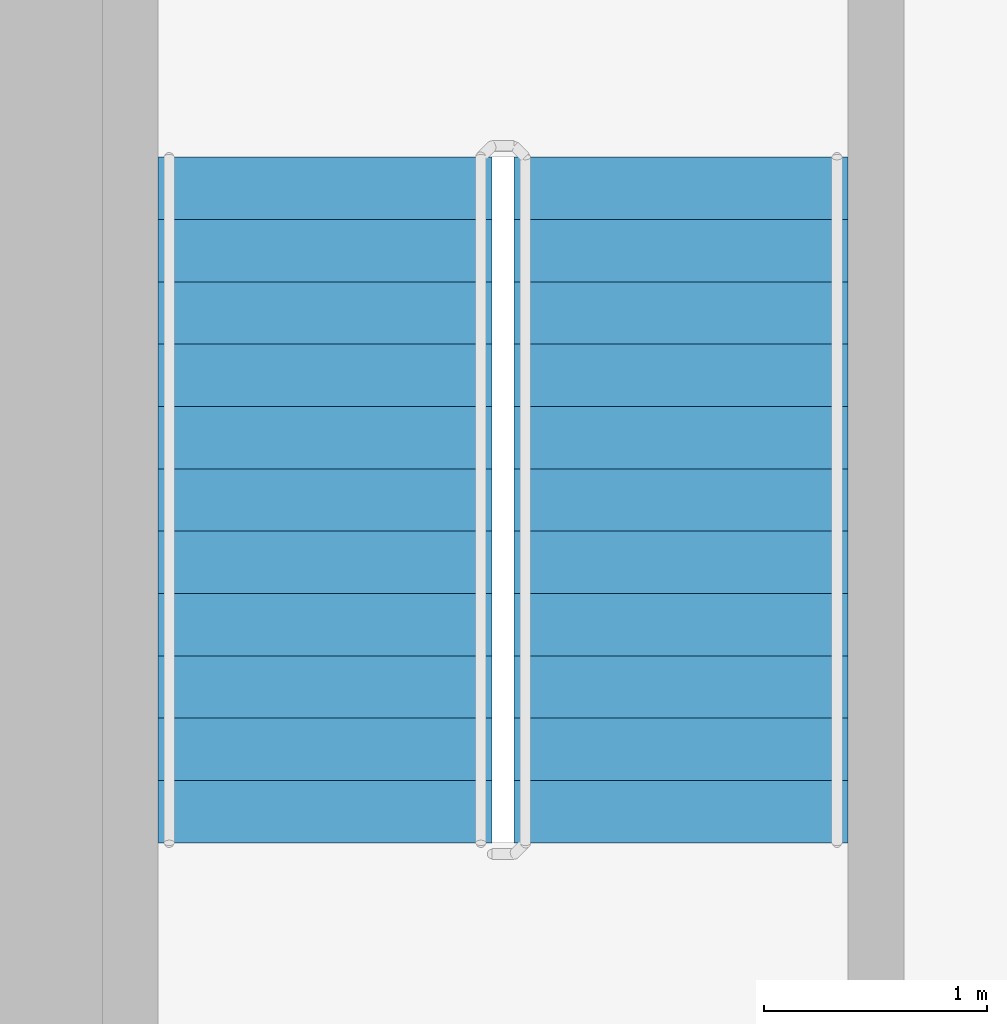
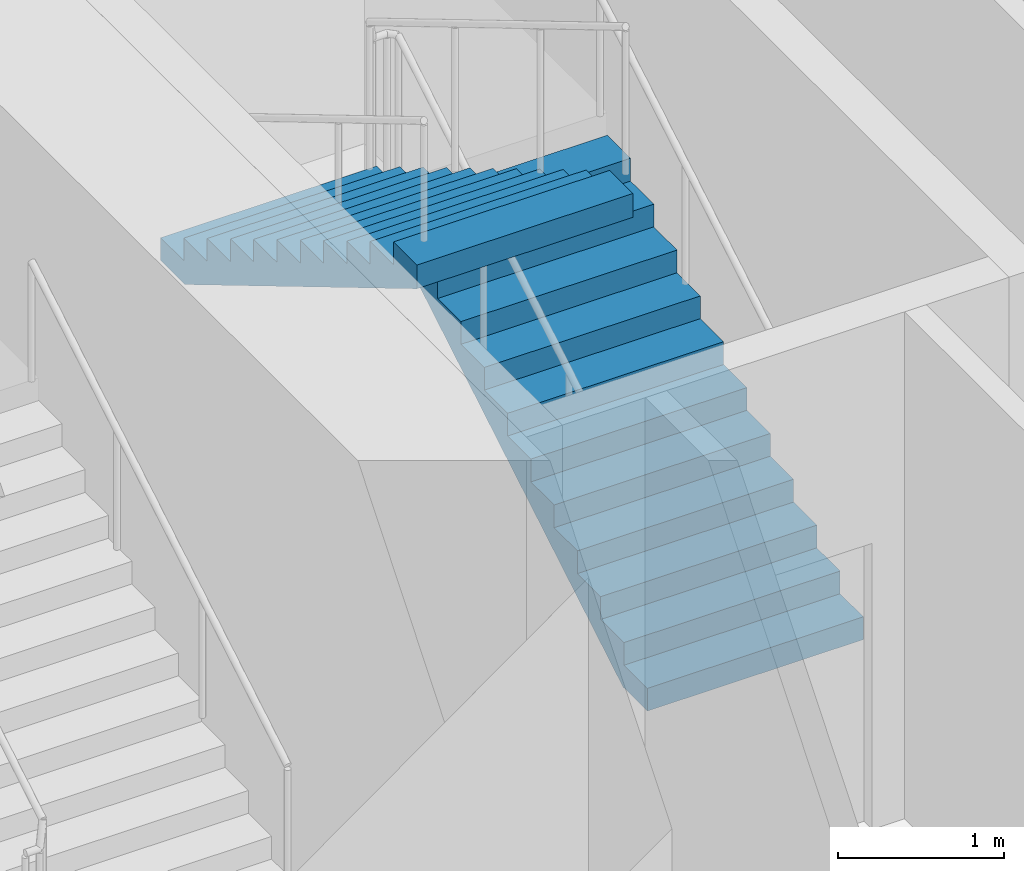
# One storey, part 16 of 25: 2 stair flights, 1 element without a shape of its own.
"""IFC4 building model written with IfcOpenShell, lengths in metres."""

from ifc_helpers import new_model, si_unit, direction, frame, origin, place, context, subcontext, project, spatial, triangles, source, transform, mapped, material, type_object, element, aggregate, save


model = new_model("IFC4")

# Units and contexts
model_context = context("Model", 3, precision=1e-05, world=origin(), true_north=direction((0.0, 1.0)))
body_context = subcontext(model_context, "Body", "Model", "MODEL_VIEW")
ifc_project = project(units=[si_unit("LENGTHUNIT", "METRE"), si_unit("AREAUNIT", "SQUARE_METRE"), si_unit("VOLUMEUNIT", "CUBIC_METRE"), si_unit("PLANEANGLEUNIT", "RADIAN"), si_unit("MASSUNIT", "GRAM", prefix="KILO")], contexts=[model_context])

# Site, building, storey
site_placement = place(None, origin())
site = spatial("IfcSite", under=ifc_project, at=site_placement, CompositionType="ELEMENT")
building_placement = place(site_placement, origin())
building = spatial("IfcBuilding", under=site, at=building_placement, Name="Kilnfold Tower and Market Hall", CompositionType="ELEMENT")
storey_placement = place(building_placement, frame((0.0, 0.0, 39.0)))
storey = spatial("IfcBuildingStorey", under=building, at=storey_placement, Name="L08", CompositionType="ELEMENT", Elevation=39.0)

# Stair, stair flights
ifc_material_1 = material(Name="Concrete C40/50", Category="concrete")
stair_type = type_object("IfcStairType", Name="CORE STAIR 1500", PredefinedType="HALF_TURN_STAIR", material=ifc_material_1)
stair_placement = place(storey_placement, origin())
stair = element("IfcStair", 1, at=stair_placement, inside=storey, type_object=stair_type, Name="L08 ST5", PredefinedType="HALF_TURN_STAIR")
ifc_material_2 = material(Name="Concrete C40/50", Category="concrete")
stair_flight_type = type_object("IfcStairFlightType", Name="CORE STAIR FLIGHT 1500", PredefinedType="STRAIGHT", material=ifc_material_2)
shared_shape = source(origin(), body_context, "Body", "Tessellation", [
    triangles([(0.0, 0.75, 0.0), (0.0, 0.65625, 0.0), (0.0, 0.5625, 0.0), (0.0, 0.46875, 0.0), (0.0, 0.375, 0.0), (0.0, 0.28125, 0.0), (0.0, 0.1875, 0.0), (0.0, 0.09375, 0.0), (0.0, 0.0, 0.0), (0.0, -0.09375, 0.0), (0.0, -0.1875, 0.0), (0.0, -0.28125, 0.0), (0.0, -0.375, 0.0), (0.0, -0.46875, 0.0), (0.0, -0.5625, 0.0), (0.0, -0.65625, 0.0), (0.0, -0.75, 0.0), (0.0, 0.75, 0.166748046875), (0.0, 0.65625, 0.166748046875), (0.0, 0.5625, 0.166748046875), (0.0, 0.46875, 0.166748046875), (0.0, 0.375, 0.166748046875), (0.0, 0.28125, 0.166748046875), (0.0, 0.1875, 0.166748046875), (0.0, 0.09375, 0.166748046875), (0.0, 0.0, 0.166748046875), (0.0, -0.09375, 0.166748046875), (0.0, -0.1875, 0.166748046875), (0.0, -0.28125, 0.166748046875), (0.0, -0.375, 0.166748046875), (0.0, -0.46875, 0.166748046875), (0.0, -0.5625, 0.166748046875), (0.0, -0.65625, 0.166748046875), (0.0, -0.75, 0.166748046875), (0.280029296875, 0.75, 0.166748046875), (0.280029296875, 0.65625, 0.166748046875), (0.280029296875, 0.5625, 0.166748046875), (0.280029296875, 0.46875, 0.166748046875), (0.280029296875, 0.375, 0.166748046875), (0.280029296875, 0.28125, 0.166748046875), (0.280029296875, 0.1875, 0.166748046875), (0.280029296875, 0.09375, 0.166748046875), (0.280029296875, 0.0, 0.166748046875), (0.280029296875, -0.09375, 0.166748046875), (0.280029296875, -0.1875, 0.166748046875), (0.280029296875, -0.28125, 0.166748046875), (0.280029296875, -0.375, 0.166748046875), (0.280029296875, -0.46875, 0.166748046875), (0.280029296875, -0.5625, 0.166748046875), (0.280029296875, -0.65625, 0.166748046875), (0.280029296875, -0.75, 0.166748046875), (0.280029296875, 0.75, 0.333251953125), (0.280029296875, 0.65625, 0.333251953125), (0.280029296875, 0.5625, 0.333251953125), (0.280029296875, 0.46875, 0.333251953125), (0.280029296875, 0.375, 0.333251953125), (0.280029296875, 0.28125, 0.333251953125), (0.280029296875, 0.1875, 0.333251953125), (0.280029296875, 0.09375, 0.333251953125), (0.280029296875, 0.0, 0.333251953125), (0.280029296875, -0.09375, 0.333251953125), (0.280029296875, -0.1875, 0.333251953125), (0.280029296875, -0.28125, 0.333251953125), (0.280029296875, -0.375, 0.333251953125), (0.280029296875, -0.46875, 0.333251953125), (0.280029296875, -0.5625, 0.333251953125), (0.280029296875, -0.65625, 0.333251953125), (0.280029296875, -0.75, 0.333251953125), (0.56005859375, 0.75, 0.333251953125), (0.56005859375, 0.65625, 0.333251953125), (0.56005859375, 0.5625, 0.333251953125), (0.56005859375, 0.46875, 0.333251953125), (0.56005859375, 0.375, 0.333251953125), (0.56005859375, 0.28125, 0.333251953125), (0.56005859375, 0.1875, 0.333251953125), (0.56005859375, 0.09375, 0.333251953125), (0.56005859375, 0.0, 0.333251953125), (0.56005859375, -0.09375, 0.333251953125), (0.56005859375, -0.1875, 0.333251953125), (0.56005859375, -0.28125, 0.333251953125), (0.56005859375, -0.375, 0.333251953125), (0.56005859375, -0.46875, 0.333251953125), (0.56005859375, -0.5625, 0.333251953125), (0.56005859375, -0.65625, 0.333251953125), (0.56005859375, -0.75, 0.333251953125), (0.56005859375, 0.75, 0.5), (0.56005859375, 0.65625, 0.5), (0.56005859375, 0.5625, 0.5), (0.56005859375, 0.46875, 0.5), (0.56005859375, 0.375, 0.5), (0.56005859375, 0.28125, 0.5), (0.56005859375, 0.1875, 0.5), (0.56005859375, 0.09375, 0.5), (0.56005859375, 0.0, 0.5), (0.56005859375, -0.09375, 0.5), (0.56005859375, -0.1875, 0.5), (0.56005859375, -0.28125, 0.5), (0.56005859375, -0.375, 0.5), (0.56005859375, -0.46875, 0.5), (0.56005859375, -0.5625, 0.5), (0.56005859375, -0.65625, 0.5), (0.56005859375, -0.75, 0.5), (0.840087890625, 0.75, 0.5), (0.840087890625, 0.65625, 0.5), (0.840087890625, 0.5625, 0.5), (0.840087890625, 0.46875, 0.5), (0.840087890625, 0.375, 0.5), (0.840087890625, 0.28125, 0.5), (0.840087890625, 0.1875, 0.5), (0.840087890625, 0.09375, 0.5), (0.840087890625, 0.0, 0.5), (0.840087890625, -0.09375, 0.5), (0.840087890625, -0.1875, 0.5), (0.840087890625, -0.28125, 0.5), (0.840087890625, -0.375, 0.5), (0.840087890625, -0.46875, 0.5), (0.840087890625, -0.5625, 0.5), (0.840087890625, -0.65625, 0.5), (0.840087890625, -0.75, 0.5), (0.840087890625, 0.75, 0.666748046875), (0.840087890625, 0.65625, 0.666748046875), (0.840087890625, 0.5625, 0.666748046875), (0.840087890625, 0.46875, 0.666748046875), (0.840087890625, 0.375, 0.666748046875), (0.840087890625, 0.28125, 0.666748046875), (0.840087890625, 0.1875, 0.666748046875), (0.840087890625, 0.09375, 0.666748046875), (0.840087890625, 0.0, 0.666748046875), (0.840087890625, -0.09375, 0.666748046875), (0.840087890625, -0.1875, 0.666748046875), (0.840087890625, -0.28125, 0.666748046875), (0.840087890625, -0.375, 0.666748046875), (0.840087890625, -0.46875, 0.666748046875), (0.840087890625, -0.5625, 0.666748046875), (0.840087890625, -0.65625, 0.666748046875), (0.840087890625, -0.75, 0.666748046875), (1.1201171875, 0.75, 0.666748046875), (1.1201171875, 0.65625, 0.666748046875), (1.1201171875, 0.5625, 0.666748046875), (1.1201171875, 0.46875, 0.666748046875), (1.1201171875, 0.375, 0.666748046875), (1.1201171875, 0.28125, 0.666748046875), (1.1201171875, 0.1875, 0.666748046875), (1.1201171875, 0.09375, 0.666748046875), (1.1201171875, 0.0, 0.666748046875), (1.1201171875, -0.09375, 0.666748046875), (1.1201171875, -0.1875, 0.666748046875), (1.1201171875, -0.28125, 0.666748046875), (1.1201171875, -0.375, 0.666748046875), (1.1201171875, -0.46875, 0.666748046875), (1.1201171875, -0.5625, 0.666748046875), (1.1201171875, -0.65625, 0.666748046875), (1.1201171875, -0.75, 0.666748046875), (1.1201171875, 0.75, 0.833251953125), (1.1201171875, 0.65625, 0.833251953125), (1.1201171875, 0.5625, 0.833251953125), (1.1201171875, 0.46875, 0.833251953125), (1.1201171875, 0.375, 0.833251953125), (1.1201171875, 0.28125, 0.833251953125), (1.1201171875, 0.1875, 0.833251953125), (1.1201171875, 0.09375, 0.833251953125), (1.1201171875, 0.0, 0.833251953125), (1.1201171875, -0.09375, 0.833251953125), (1.1201171875, -0.1875, 0.833251953125), (1.1201171875, -0.28125, 0.833251953125), (1.1201171875, -0.375, 0.833251953125), (1.1201171875, -0.46875, 0.833251953125), (1.1201171875, -0.5625, 0.833251953125), (1.1201171875, -0.65625, 0.833251953125), (1.1201171875, -0.75, 0.833251953125), (1.39990234375, 0.75, 0.833251953125), (1.39990234375, 0.65625, 0.833251953125), (1.39990234375, 0.5625, 0.833251953125), (1.39990234375, 0.46875, 0.833251953125), (1.39990234375, 0.375, 0.833251953125), (1.39990234375, 0.28125, 0.833251953125), (1.39990234375, 0.1875, 0.833251953125), (1.39990234375, 0.09375, 0.833251953125), (1.39990234375, 0.0, 0.833251953125), (1.39990234375, -0.09375, 0.833251953125), (1.39990234375, -0.1875, 0.833251953125), (1.39990234375, -0.28125, 0.833251953125), (1.39990234375, -0.375, 0.833251953125), (1.39990234375, -0.46875, 0.833251953125), (1.39990234375, -0.5625, 0.833251953125), (1.39990234375, -0.65625, 0.833251953125), (1.39990234375, -0.75, 0.833251953125), (1.39990234375, 0.75, 1.0), (1.39990234375, 0.65625, 1.0), (1.39990234375, 0.5625, 1.0), (1.39990234375, 0.46875, 1.0), (1.39990234375, 0.375, 1.0), (1.39990234375, 0.28125, 1.0), (1.39990234375, 0.1875, 1.0), (1.39990234375, 0.09375, 1.0), (1.39990234375, 0.0, 1.0), (1.39990234375, -0.09375, 1.0), (1.39990234375, -0.1875, 1.0), (1.39990234375, -0.28125, 1.0), (1.39990234375, -0.375, 1.0), (1.39990234375, -0.46875, 1.0), (1.39990234375, -0.5625, 1.0), (1.39990234375, -0.65625, 1.0), (1.39990234375, -0.75, 1.0), (1.679931640625, 0.75, 1.0), (1.679931640625, 0.65625, 1.0), (1.679931640625, 0.5625, 1.0), (1.679931640625, 0.46875, 1.0), (1.679931640625, 0.375, 1.0), (1.679931640625, 0.28125, 1.0), (1.679931640625, 0.1875, 1.0), (1.679931640625, 0.09375, 1.0), (1.679931640625, 0.0, 1.0), (1.679931640625, -0.09375, 1.0), (1.679931640625, -0.1875, 1.0), (1.679931640625, -0.28125, 1.0), (1.679931640625, -0.375, 1.0), (1.679931640625, -0.46875, 1.0), (1.679931640625, -0.5625, 1.0), (1.679931640625, -0.65625, 1.0), (1.679931640625, -0.75, 1.0), (1.679931640625, 0.75, 1.166748046875), (1.679931640625, 0.65625, 1.166748046875), (1.679931640625, 0.5625, 1.166748046875), (1.679931640625, 0.46875, 1.166748046875), (1.679931640625, 0.375, 1.166748046875), (1.679931640625, 0.28125, 1.166748046875), (1.679931640625, 0.1875, 1.166748046875), (1.679931640625, 0.09375, 1.166748046875), (1.679931640625, 0.0, 1.166748046875), (1.679931640625, -0.09375, 1.166748046875), (1.679931640625, -0.1875, 1.166748046875), (1.679931640625, -0.28125, 1.166748046875), (1.679931640625, -0.375, 1.166748046875), (1.679931640625, -0.46875, 1.166748046875), (1.679931640625, -0.5625, 1.166748046875), (1.679931640625, -0.65625, 1.166748046875), (1.679931640625, -0.75, 1.166748046875), (1.9599609375, 0.75, 1.166748046875), (1.9599609375, 0.65625, 1.166748046875), (1.9599609375, 0.5625, 1.166748046875), (1.9599609375, 0.46875, 1.166748046875), (1.9599609375, 0.375, 1.166748046875), (1.9599609375, 0.28125, 1.166748046875), (1.9599609375, 0.1875, 1.166748046875), (1.9599609375, 0.09375, 1.166748046875), (1.9599609375, 0.0, 1.166748046875), (1.9599609375, -0.09375, 1.166748046875), (1.9599609375, -0.1875, 1.166748046875), (1.9599609375, -0.28125, 1.166748046875), (1.9599609375, -0.375, 1.166748046875), (1.9599609375, -0.46875, 1.166748046875), (1.9599609375, -0.5625, 1.166748046875), (1.9599609375, -0.65625, 1.166748046875), (1.9599609375, -0.75, 1.166748046875), (1.9599609375, 0.75, 1.333251953125), (1.9599609375, 0.65625, 1.333251953125), (1.9599609375, 0.5625, 1.333251953125), (1.9599609375, 0.46875, 1.333251953125), (1.9599609375, 0.375, 1.333251953125), (1.9599609375, 0.28125, 1.333251953125), (1.9599609375, 0.1875, 1.333251953125), (1.9599609375, 0.09375, 1.333251953125), (1.9599609375, 0.0, 1.333251953125), (1.9599609375, -0.09375, 1.333251953125), (1.9599609375, -0.1875, 1.333251953125), (1.9599609375, -0.28125, 1.333251953125), (1.9599609375, -0.375, 1.333251953125), (1.9599609375, -0.46875, 1.333251953125), (1.9599609375, -0.5625, 1.333251953125), (1.9599609375, -0.65625, 1.333251953125), (1.9599609375, -0.75, 1.333251953125), (2.239990234375, 0.75, 1.333251953125), (2.239990234375, 0.65625, 1.333251953125), (2.239990234375, 0.5625, 1.333251953125), (2.239990234375, 0.46875, 1.333251953125), (2.239990234375, 0.375, 1.333251953125), (2.239990234375, 0.28125, 1.333251953125), (2.239990234375, 0.1875, 1.333251953125), (2.239990234375, 0.09375, 1.333251953125), (2.239990234375, 0.0, 1.333251953125), (2.239990234375, -0.09375, 1.333251953125), (2.239990234375, -0.1875, 1.333251953125), (2.239990234375, -0.28125, 1.333251953125), (2.239990234375, -0.375, 1.333251953125), (2.239990234375, -0.46875, 1.333251953125), (2.239990234375, -0.5625, 1.333251953125), (2.239990234375, -0.65625, 1.333251953125), (2.239990234375, -0.75, 1.333251953125), (2.239990234375, 0.75, 1.5), (2.239990234375, 0.65625, 1.5), (2.239990234375, 0.5625, 1.5), (2.239990234375, 0.46875, 1.5), (2.239990234375, 0.375, 1.5), (2.239990234375, 0.28125, 1.5), (2.239990234375, 0.1875, 1.5), (2.239990234375, 0.09375, 1.5), (2.239990234375, 0.0, 1.5), (2.239990234375, -0.09375, 1.5), (2.239990234375, -0.1875, 1.5), (2.239990234375, -0.28125, 1.5), (2.239990234375, -0.375, 1.5), (2.239990234375, -0.46875, 1.5), (2.239990234375, -0.5625, 1.5), (2.239990234375, -0.65625, 1.5), (2.239990234375, -0.75, 1.5), (2.52001953125, 0.75, 1.5), (2.52001953125, 0.65625, 1.5), (2.52001953125, 0.5625, 1.5), (2.52001953125, 0.46875, 1.5), (2.52001953125, 0.375, 1.5), (2.52001953125, 0.28125, 1.5), (2.52001953125, 0.1875, 1.5), (2.52001953125, 0.09375, 1.5), (2.52001953125, 0.0, 1.5), (2.52001953125, -0.09375, 1.5), (2.52001953125, -0.1875, 1.5), (2.52001953125, -0.28125, 1.5), (2.52001953125, -0.375, 1.5), (2.52001953125, -0.46875, 1.5), (2.52001953125, -0.5625, 1.5), (2.52001953125, -0.65625, 1.5), (2.52001953125, -0.75, 1.5), (2.52001953125, 0.75, 1.666748046875), (2.52001953125, 0.65625, 1.666748046875), (2.52001953125, 0.5625, 1.666748046875), (2.52001953125, 0.46875, 1.666748046875), (2.52001953125, 0.375, 1.666748046875), (2.52001953125, 0.28125, 1.666748046875), (2.52001953125, 0.1875, 1.666748046875), (2.52001953125, 0.09375, 1.666748046875), (2.52001953125, 0.0, 1.666748046875), (2.52001953125, -0.09375, 1.666748046875), (2.52001953125, -0.1875, 1.666748046875), (2.52001953125, -0.28125, 1.666748046875), (2.52001953125, -0.375, 1.666748046875), (2.52001953125, -0.46875, 1.666748046875), (2.52001953125, -0.5625, 1.666748046875), (2.52001953125, -0.65625, 1.666748046875), (2.52001953125, -0.75, 1.666748046875), (2.800048828125, 0.75, 1.666748046875), (2.800048828125, 0.65625, 1.666748046875), (2.800048828125, 0.5625, 1.666748046875), (2.800048828125, 0.46875, 1.666748046875), (2.800048828125, 0.375, 1.666748046875), (2.800048828125, 0.28125, 1.666748046875), (2.800048828125, 0.1875, 1.666748046875), (2.800048828125, 0.09375, 1.666748046875), (2.800048828125, 0.0, 1.666748046875), (2.800048828125, -0.09375, 1.666748046875), (2.800048828125, -0.1875, 1.666748046875), (2.800048828125, -0.28125, 1.666748046875), (2.800048828125, -0.375, 1.666748046875), (2.800048828125, -0.46875, 1.666748046875), (2.800048828125, -0.5625, 1.666748046875), (2.800048828125, -0.65625, 1.666748046875), (2.800048828125, -0.75, 1.666748046875), (2.800048828125, 0.75, 1.833251953125), (2.800048828125, 0.65625, 1.833251953125), (2.800048828125, 0.5625, 1.833251953125), (2.800048828125, 0.46875, 1.833251953125), (2.800048828125, 0.375, 1.833251953125), (2.800048828125, 0.28125, 1.833251953125), (2.800048828125, 0.1875, 1.833251953125), (2.800048828125, 0.09375, 1.833251953125), (2.800048828125, 0.0, 1.833251953125), (2.800048828125, -0.09375, 1.833251953125), (2.800048828125, -0.1875, 1.833251953125), (2.800048828125, -0.28125, 1.833251953125), (2.800048828125, -0.375, 1.833251953125), (2.800048828125, -0.46875, 1.833251953125), (2.800048828125, -0.5625, 1.833251953125), (2.800048828125, -0.65625, 1.833251953125), (2.800048828125, -0.75, 1.833251953125), (3.080078125, 0.75, 1.833251953125), (3.080078125, 0.65625, 1.833251953125), (3.080078125, 0.5625, 1.833251953125), (3.080078125, 0.46875, 1.833251953125), (3.080078125, 0.375, 1.833251953125), (3.080078125, 0.28125, 1.833251953125), (3.080078125, 0.1875, 1.833251953125), (3.080078125, 0.09375, 1.833251953125), (3.080078125, 0.0, 1.833251953125), (3.080078125, -0.09375, 1.833251953125), (3.080078125, -0.1875, 1.833251953125), (3.080078125, -0.28125, 1.833251953125), (3.080078125, -0.375, 1.833251953125), (3.080078125, -0.46875, 1.833251953125), (3.080078125, -0.5625, 1.833251953125), (3.080078125, -0.65625, 1.833251953125), (3.080078125, -0.75, 1.833251953125), (3.080078125, 0.75, 1.658935546875), (3.080078125, 0.65625, 1.658935546875), (3.080078125, 0.5625, 1.658935546875), (3.080078125, 0.46875, 1.658935546875), (3.080078125, 0.375, 1.658935546875), (3.080078125, 0.28125, 1.658935546875), (3.080078125, 0.1875, 1.658935546875), (3.080078125, 0.09375, 1.658935546875), (3.080078125, 0.0, 1.658935546875), (3.080078125, -0.09375, 1.658935546875), (3.080078125, -0.1875, 1.658935546875), (3.080078125, -0.28125, 1.658935546875), (3.080078125, -0.375, 1.658935546875), (3.080078125, -0.46875, 1.658935546875), (3.080078125, -0.5625, 1.658935546875), (3.080078125, -0.65625, 1.658935546875), (3.080078125, -0.75, 1.658935546875), (0.29296875, 0.75, 0.0), (0.29296875, 0.65625, 0.0), (0.29296875, 0.5625, 0.0), (0.29296875, 0.46875, 0.0), (0.29296875, 0.375, 0.0), (0.29296875, 0.28125, 0.0), (0.29296875, 0.1875, 0.0), (0.29296875, 0.09375, 0.0), (0.29296875, 0.0, 0.0), (0.29296875, -0.09375, 0.0), (0.29296875, -0.1875, 0.0), (0.29296875, -0.28125, 0.0), (0.29296875, -0.375, 0.0), (0.29296875, -0.46875, 0.0), (0.29296875, -0.5625, 0.0), (0.29296875, -0.65625, 0.0), (0.29296875, -0.75, 0.0)], [[1, 392, 409], [17, 425, 408], [392, 358, 375], [408, 391, 374], [392, 341, 358], [408, 374, 357], [392, 324, 341], [408, 357, 340], [392, 307, 324], [408, 340, 323], [307, 273, 290], [323, 306, 289], [392, 273, 307], [408, 323, 289], [273, 239, 256], [289, 272, 255], [392, 239, 273], [408, 289, 255], [239, 205, 222], [255, 238, 221], [392, 205, 239], [408, 255, 221], [205, 171, 188], [221, 204, 187], [392, 171, 205], [408, 221, 187], [171, 137, 154], [187, 170, 153], [392, 137, 171], [408, 187, 153], [137, 103, 120], [153, 136, 119], [392, 103, 137], [408, 153, 119], [103, 69, 86], [119, 102, 85], [392, 69, 103], [408, 119, 85], [1, 69, 392], [17, 408, 85], [69, 35, 52], [85, 68, 51], [1, 35, 69], [17, 85, 51], [35, 1, 18], [51, 34, 17], [1, 19, 18], [1, 2, 19], [2, 20, 19], [2, 3, 20], [3, 21, 20], [3, 4, 21], [4, 22, 21], [4, 5, 22], [5, 23, 22], [5, 6, 23], [6, 24, 23], [6, 7, 24], [7, 25, 24], [7, 8, 25], [8, 26, 25], [8, 9, 26], [9, 27, 26], [9, 10, 27], [10, 28, 27], [10, 11, 28], [11, 29, 28], [11, 12, 29], [12, 30, 29], [12, 13, 30], [13, 31, 30], [13, 14, 31], [14, 32, 31], [14, 15, 32], [15, 33, 32], [15, 16, 33], [16, 34, 33], [16, 17, 34], [18, 36, 35], [18, 19, 36], [19, 37, 36], [19, 20, 37], [20, 38, 37], [20, 21, 38], [21, 39, 38], [21, 22, 39], [22, 40, 39], [22, 23, 40], [23, 41, 40], [23, 24, 41], [24, 42, 41], [24, 25, 42], [25, 43, 42], [25, 26, 43], [26, 44, 43], [26, 27, 44], [27, 45, 44], [27, 28, 45], [28, 46, 45], [28, 29, 46], [29, 47, 46], [29, 30, 47], [30, 48, 47], [30, 31, 48], [31, 49, 48], [31, 32, 49], [32, 50, 49], [32, 33, 50], [33, 51, 50], [33, 34, 51], [35, 53, 52], [35, 36, 53], [36, 54, 53], [36, 37, 54], [37, 55, 54], [37, 38, 55], [38, 56, 55], [38, 39, 56], [39, 57, 56], [39, 40, 57], [40, 58, 57], [40, 41, 58], [41, 59, 58], [41, 42, 59], [42, 60, 59], [42, 43, 60], [43, 61, 60], [43, 44, 61], [44, 62, 61], [44, 45, 62], [45, 63, 62], [45, 46, 63], [46, 64, 63], [46, 47, 64], [47, 65, 64], [47, 48, 65], [48, 66, 65], [48, 49, 66], [49, 67, 66], [49, 50, 67], [50, 68, 67], [50, 51, 68], [52, 70, 69], [52, 53, 70], [53, 71, 70], [53, 54, 71], [54, 72, 71], [54, 55, 72], [55, 73, 72], [55, 56, 73], [56, 74, 73], [56, 57, 74], [57, 75, 74], [57, 58, 75], [58, 76, 75], [58, 59, 76], [59, 77, 76], [59, 60, 77], [60, 78, 77], [60, 61, 78], [61, 79, 78], [61, 62, 79], [62, 80, 79], [62, 63, 80], [63, 81, 80], [63, 64, 81], [64, 82, 81], [64, 65, 82], [65, 83, 82], [65, 66, 83], [66, 84, 83], [66, 67, 84], [67, 85, 84], [67, 68, 85], [69, 87, 86], [69, 70, 87], [70, 88, 87], [70, 71, 88], [71, 89, 88], [71, 72, 89], [72, 90, 89], [72, 73, 90], [73, 91, 90], [73, 74, 91], [74, 92, 91], [74, 75, 92], [75, 93, 92], [75, 76, 93], [76, 94, 93], [76, 77, 94], [77, 95, 94], [77, 78, 95], [78, 96, 95], [78, 79, 96], [79, 97, 96], [79, 80, 97], [80, 98, 97], [80, 81, 98], [81, 99, 98], [81, 82, 99], [82, 100, 99], [82, 83, 100], [83, 101, 100], [83, 84, 101], [84, 102, 101], [84, 85, 102], [86, 104, 103], [86, 87, 104], [87, 105, 104], [87, 88, 105], [88, 106, 105], [88, 89, 106], [89, 107, 106], [89, 90, 107], [90, 108, 107], [90, 91, 108], [91, 109, 108], [91, 92, 109], [92, 110, 109], [92, 93, 110], [93, 111, 110], [93, 94, 111], [94, 112, 111], [94, 95, 112], [95, 113, 112], [95, 96, 113], [96, 114, 113], [96, 97, 114], [97, 115, 114], [97, 98, 115], [98, 116, 115], [98, 99, 116], [99, 117, 116], [99, 100, 117], [100, 118, 117], [100, 101, 118], [101, 119, 118], [101, 102, 119], [103, 121, 120], [103, 104, 121], [104, 122, 121], [104, 105, 122], [105, 123, 122], [105, 106, 123], [106, 124, 123], [106, 107, 124], [107, 125, 124], [107, 108, 125], [108, 126, 125], [108, 109, 126], [109, 127, 126], [109, 110, 127], [110, 128, 127], [110, 111, 128], [111, 129, 128], [111, 112, 129], [112, 130, 129], [112, 113, 130], [113, 131, 130], [113, 114, 131], [114, 132, 131], [114, 115, 132], [115, 133, 132], [115, 116, 133], [116, 134, 133], [116, 117, 134], [117, 135, 134], [117, 118, 135], [118, 136, 135], [118, 119, 136], [120, 138, 137], [120, 121, 138], [121, 139, 138], [121, 122, 139], [122, 140, 139], [122, 123, 140], [123, 141, 140], [123, 124, 141], [124, 142, 141], [124, 125, 142], [125, 143, 142], [125, 126, 143], [126, 144, 143], [126, 127, 144], [127, 145, 144], [127, 128, 145], [128, 146, 145], [128, 129, 146], [129, 147, 146], [129, 130, 147], [130, 148, 147], [130, 131, 148], [131, 149, 148], [131, 132, 149], [132, 150, 149], [132, 133, 150], [133, 151, 150], [133, 134, 151], [134, 152, 151], [134, 135, 152], [135, 153, 152], [135, 136, 153], [137, 155, 154], [137, 138, 155], [138, 156, 155], [138, 139, 156], [139, 157, 156], [139, 140, 157], [140, 158, 157], [140, 141, 158], [141, 159, 158], [141, 142, 159], [142, 160, 159], [142, 143, 160], [143, 161, 160], [143, 144, 161], [144, 162, 161], [144, 145, 162], [145, 163, 162], [145, 146, 163], [146, 164, 163], [146, 147, 164], [147, 165, 164], [147, 148, 165], [148, 166, 165], [148, 149, 166], [149, 167, 166], [149, 150, 167], [150, 168, 167], [150, 151, 168], [151, 169, 168], [151, 152, 169], [152, 170, 169], [152, 153, 170], [154, 172, 171], [154, 155, 172], [155, 173, 172], [155, 156, 173], [156, 174, 173], [156, 157, 174], [157, 175, 174], [157, 158, 175], [158, 176, 175], [158, 159, 176], [159, 177, 176], [159, 160, 177], [160, 178, 177], [160, 161, 178], [161, 179, 178], [161, 162, 179], [162, 180, 179], [162, 163, 180], [163, 181, 180], [163, 164, 181], [164, 182, 181], [164, 165, 182], [165, 183, 182], [165, 166, 183], [166, 184, 183], [166, 167, 184], [167, 185, 184], [167, 168, 185], [168, 186, 185], [168, 169, 186], [169, 187, 186], [169, 170, 187], [171, 189, 188], [171, 172, 189], [172, 190, 189], [172, 173, 190], [173, 191, 190], [173, 174, 191], [174, 192, 191], [174, 175, 192], [175, 193, 192], [175, 176, 193], [176, 194, 193], [176, 177, 194], [177, 195, 194], [177, 178, 195], [178, 196, 195], [178, 179, 196], [179, 197, 196], [179, 180, 197], [180, 198, 197], [180, 181, 198], [181, 199, 198], [181, 182, 199], [182, 200, 199], [182, 183, 200], [183, 201, 200], [183, 184, 201], [184, 202, 201], [184, 185, 202], [185, 203, 202], [185, 186, 203], [186, 204, 203], [186, 187, 204], [188, 206, 205], [188, 189, 206], [189, 207, 206], [189, 190, 207], [190, 208, 207], [190, 191, 208], [191, 209, 208], [191, 192, 209], [192, 210, 209], [192, 193, 210], [193, 211, 210], [193, 194, 211], [194, 212, 211], [194, 195, 212], [195, 213, 212], [195, 196, 213], [196, 214, 213], [196, 197, 214], [197, 215, 214], [197, 198, 215], [198, 216, 215], [198, 199, 216], [199, 217, 216], [199, 200, 217], [200, 218, 217], [200, 201, 218], [201, 219, 218], [201, 202, 219], [202, 220, 219], [202, 203, 220], [203, 221, 220], [203, 204, 221], [205, 223, 222], [205, 206, 223], [206, 224, 223], [206, 207, 224], [207, 225, 224], [207, 208, 225], [208, 226, 225], [208, 209, 226], [209, 227, 226], [209, 210, 227], [210, 228, 227], [210, 211, 228], [211, 229, 228], [211, 212, 229], [212, 230, 229], [212, 213, 230], [213, 231, 230], [213, 214, 231], [214, 232, 231], [214, 215, 232], [215, 233, 232], [215, 216, 233], [216, 234, 233], [216, 217, 234], [217, 235, 234], [217, 218, 235], [218, 236, 235], [218, 219, 236], [219, 237, 236], [219, 220, 237], [220, 238, 237], [220, 221, 238], [222, 240, 239], [222, 223, 240], [223, 241, 240], [223, 224, 241], [224, 242, 241], [224, 225, 242], [225, 243, 242], [225, 226, 243], [226, 244, 243], [226, 227, 244], [227, 245, 244], [227, 228, 245], [228, 246, 245], [228, 229, 246], [229, 247, 246], [229, 230, 247], [230, 248, 247], [230, 231, 248], [231, 249, 248], [231, 232, 249], [232, 250, 249], [232, 233, 250], [233, 251, 250], [233, 234, 251], [234, 252, 251], [234, 235, 252], [235, 253, 252], [235, 236, 253], [236, 254, 253], [236, 237, 254], [237, 255, 254], [237, 238, 255], [239, 257, 256], [239, 240, 257], [240, 258, 257], [240, 241, 258], [241, 259, 258], [241, 242, 259], [242, 260, 259], [242, 243, 260], [243, 261, 260], [243, 244, 261], [244, 262, 261], [244, 245, 262], [245, 263, 262], [245, 246, 263], [246, 264, 263], [246, 247, 264], [247, 265, 264], [247, 248, 265], [248, 266, 265], [248, 249, 266], [249, 267, 266], [249, 250, 267], [250, 268, 267], [250, 251, 268], [251, 269, 268], [251, 252, 269], [252, 270, 269], [252, 253, 270], [253, 271, 270], [253, 254, 271], [254, 272, 271], [254, 255, 272], [256, 274, 273], [256, 257, 274], [257, 275, 274], [257, 258, 275], [258, 276, 275], [258, 259, 276], [259, 277, 276], [259, 260, 277], [260, 278, 277], [260, 261, 278], [261, 279, 278], [261, 262, 279], [262, 280, 279], [262, 263, 280], [263, 281, 280], [263, 264, 281], [264, 282, 281], [264, 265, 282], [265, 283, 282], [265, 266, 283], [266, 284, 283], [266, 267, 284], [267, 285, 284], [267, 268, 285], [268, 286, 285], [268, 269, 286], [269, 287, 286], [269, 270, 287], [270, 288, 287], [270, 271, 288], [271, 289, 288], [271, 272, 289], [273, 291, 290], [273, 274, 291], [274, 292, 291], [274, 275, 292], [275, 293, 292], [275, 276, 293], [276, 294, 293], [276, 277, 294], [277, 295, 294], [277, 278, 295], [278, 296, 295], [278, 279, 296], [279, 297, 296], [279, 280, 297], [280, 298, 297], [280, 281, 298], [281, 299, 298], [281, 282, 299], [282, 300, 299], [282, 283, 300], [283, 301, 300], [283, 284, 301], [284, 302, 301], [284, 285, 302], [285, 303, 302], [285, 286, 303], [286, 304, 303], [286, 287, 304], [287, 305, 304], [287, 288, 305], [288, 306, 305], [288, 289, 306], [290, 308, 307], [290, 291, 308], [291, 309, 308], [291, 292, 309], [292, 310, 309], [292, 293, 310], [293, 311, 310], [293, 294, 311], [294, 312, 311], [294, 295, 312], [295, 313, 312], [295, 296, 313], [296, 314, 313], [296, 297, 314], [297, 315, 314], [297, 298, 315], [298, 316, 315], [298, 299, 316], [299, 317, 316], [299, 300, 317], [300, 318, 317], [300, 301, 318], [301, 319, 318], [301, 302, 319], [302, 320, 319], [302, 303, 320], [303, 321, 320], [303, 304, 321], [304, 322, 321], [304, 305, 322], [305, 323, 322], [305, 306, 323], [307, 325, 324], [307, 308, 325], [308, 326, 325], [308, 309, 326], [309, 327, 326], [309, 310, 327], [310, 328, 327], [310, 311, 328], [311, 329, 328], [311, 312, 329], [312, 330, 329], [312, 313, 330], [313, 331, 330], [313, 314, 331], [314, 332, 331], [314, 315, 332], [315, 333, 332], [315, 316, 333], [316, 334, 333], [316, 317, 334], [317, 335, 334], [317, 318, 335], [318, 336, 335], [318, 319, 336], [319, 337, 336], [319, 320, 337], [320, 338, 337], [320, 321, 338], [321, 339, 338], [321, 322, 339], [322, 340, 339], [322, 323, 340], [324, 342, 341], [324, 325, 342], [325, 343, 342], [325, 326, 343], [326, 344, 343], [326, 327, 344], [327, 345, 344], [327, 328, 345], [328, 346, 345], [328, 329, 346], [329, 347, 346], [329, 330, 347], [330, 348, 347], [330, 331, 348], [331, 349, 348], [331, 332, 349], [332, 350, 349], [332, 333, 350], [333, 351, 350], [333, 334, 351], [334, 352, 351], [334, 335, 352], [335, 353, 352], [335, 336, 353], [336, 354, 353], [336, 337, 354], [337, 355, 354], [337, 338, 355], [338, 356, 355], [338, 339, 356], [339, 357, 356], [339, 340, 357], [341, 359, 358], [341, 342, 359], [342, 360, 359], [342, 343, 360], [343, 361, 360], [343, 344, 361], [344, 362, 361], [344, 345, 362], [345, 363, 362], [345, 346, 363], [346, 364, 363], [346, 347, 364], [347, 365, 364], [347, 348, 365], [348, 366, 365], [348, 349, 366], [349, 367, 366], [349, 350, 367], [350, 368, 367], [350, 351, 368], [351, 369, 368], [351, 352, 369], [352, 370, 369], [352, 353, 370], [353, 371, 370], [353, 354, 371], [354, 372, 371], [354, 355, 372], [355, 373, 372], [355, 356, 373], [356, 374, 373], [356, 357, 374], [358, 376, 375], [358, 359, 376], [359, 377, 376], [359, 360, 377], [360, 378, 377], [360, 361, 378], [361, 379, 378], [361, 362, 379], [362, 380, 379], [362, 363, 380], [363, 381, 380], [363, 364, 381], [364, 382, 381], [364, 365, 382], [365, 383, 382], [365, 366, 383], [366, 384, 383], [366, 367, 384], [367, 385, 384], [367, 368, 385], [368, 386, 385], [368, 369, 386], [369, 387, 386], [369, 370, 387], [370, 388, 387], [370, 371, 388], [371, 389, 388], [371, 372, 389], [372, 390, 389], [372, 373, 390], [373, 391, 390], [373, 374, 391], [375, 393, 392], [375, 376, 393], [376, 394, 393], [376, 377, 394], [377, 395, 394], [377, 378, 395], [378, 396, 395], [378, 379, 396], [379, 397, 396], [379, 380, 397], [380, 398, 397], [380, 381, 398], [381, 399, 398], [381, 382, 399], [382, 400, 399], [382, 383, 400], [383, 401, 400], [383, 384, 401], [384, 402, 401], [384, 385, 402], [385, 403, 402], [385, 386, 403], [386, 404, 403], [386, 387, 404], [387, 405, 404], [387, 388, 405], [388, 406, 405], [388, 389, 406], [389, 407, 406], [389, 390, 407], [390, 408, 407], [390, 391, 408], [392, 410, 409], [392, 393, 410], [393, 411, 410], [393, 394, 411], [394, 412, 411], [394, 395, 412], [395, 413, 412], [395, 396, 413], [396, 414, 413], [396, 397, 414], [397, 415, 414], [397, 398, 415], [398, 416, 415], [398, 399, 416], [399, 417, 416], [399, 400, 417], [400, 418, 417], [400, 401, 418], [401, 419, 418], [401, 402, 419], [402, 420, 419], [402, 403, 420], [403, 421, 420], [403, 404, 421], [404, 422, 421], [404, 405, 422], [405, 423, 422], [405, 406, 423], [406, 424, 423], [406, 407, 424], [407, 425, 424], [407, 408, 425], [409, 2, 1], [409, 410, 2], [410, 3, 2], [410, 411, 3], [411, 4, 3], [411, 412, 4], [412, 5, 4], [412, 413, 5], [413, 6, 5], [413, 414, 6], [414, 7, 6], [414, 415, 7], [415, 8, 7], [415, 416, 8], [416, 9, 8], [416, 417, 9], [417, 10, 9], [417, 418, 10], [418, 11, 10], [418, 419, 11], [419, 12, 11], [419, 420, 12], [420, 13, 12], [420, 421, 13], [421, 14, 13], [421, 422, 14], [422, 15, 14], [422, 423, 15], [423, 16, 15], [423, 424, 16], [424, 17, 16], [424, 425, 17]], closed=True),
])
stair_flight_1_placement = place(storey_placement, frame((20.699951171875, 11.5, 0.0), z_axis=(0.0, 0.0, 1.0), x_axis=(0.0, 1.0, 0.0)))
stair_flight_1 = element("IfcStairFlight", 2, at=stair_flight_1_placement, type_object=stair_flight_type, Name="ST5 flight 1", NumberOfRisers=12, NumberOfTreads=11, PredefinedType="STRAIGHT", RiserHeight=0.166666667, TreadLength=0.28, context=body_context, shape_type="MappedRepresentation", body=[
    mapped(shared_shape, transform((0.0, 0.0, 0.0))),
])
stair_flight_2_placement = place(storey_placement, frame((19.10009765625, 14.580078125, 2.0), z_axis=(0.0, 0.0, 1.0), x_axis=(0.0, -1.0, 0.0)))
stair_flight_2 = element("IfcStairFlight", 3, at=stair_flight_2_placement, type_object=stair_flight_type, Name="ST5 flight 2", NumberOfRisers=12, NumberOfTreads=11, PredefinedType="STRAIGHT", RiserHeight=0.166666667, TreadLength=0.28, context=body_context, shape_type="MappedRepresentation", body=[
    mapped(shared_shape, transform((0.0, 0.0, 0.0))),
])
aggregate(stair, [stair_flight_1, stair_flight_2])

save(model, "model.ifc")
